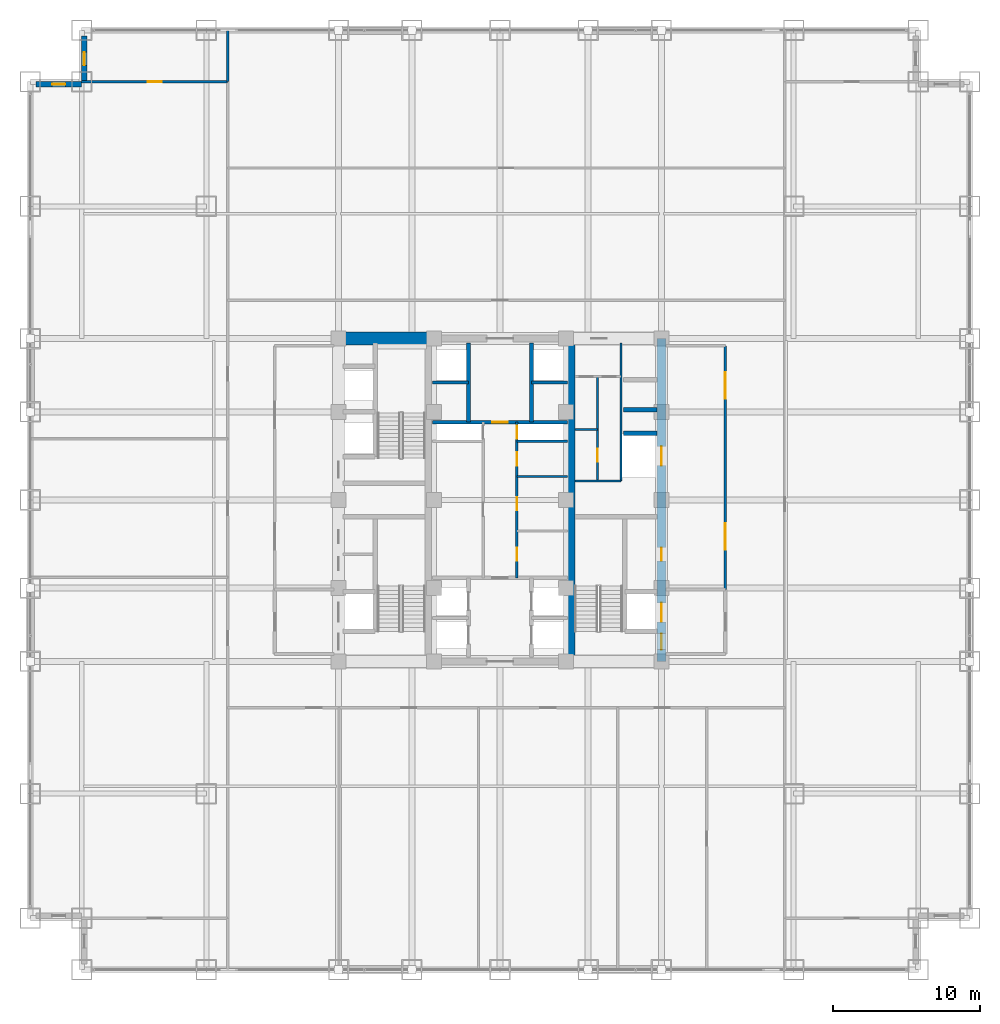
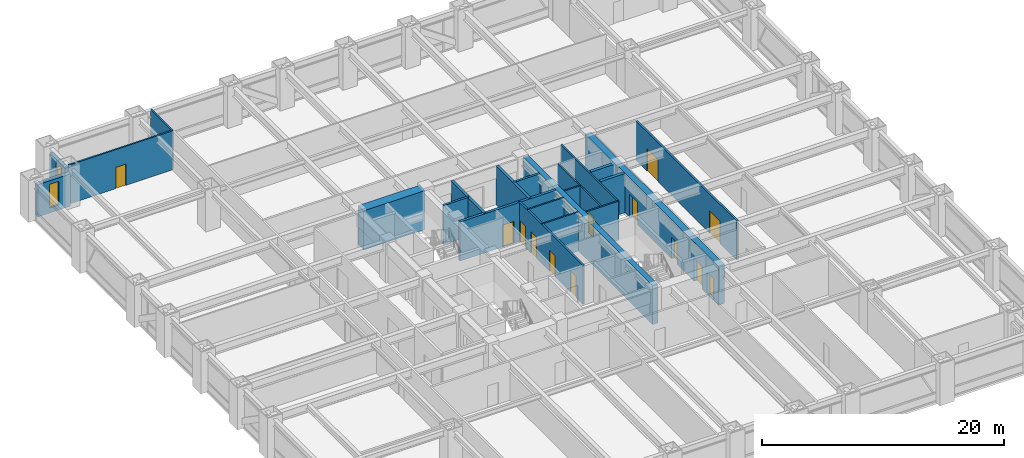
# One storey, part 25 of 27: 22 walls, 13 doors, 2 windows, 15 openings.
"""IFC4 building model written with IfcOpenShell, lengths in metres."""

from ifc_helpers import new_model, si_unit, direction, frame, frame_2d, origin, place, context, subcontext, project, spatial, rectangle, extrude, source, transform, mapped, material, layer, layer_set, type_object, element, fill, save


model = new_model("IFC4")

# Units and contexts
model_context = context("Model", 3, precision=1e-05, world=origin(), true_north=direction((0.0, 1.0)))
body_context = subcontext(model_context, "Body", "Model", "MODEL_VIEW")
ifc_project = project(units=[si_unit("LENGTHUNIT", "METRE"), si_unit("AREAUNIT", "SQUARE_METRE"), si_unit("VOLUMEUNIT", "CUBIC_METRE"), si_unit("PLANEANGLEUNIT", "RADIAN"), si_unit("MASSUNIT", "GRAM", prefix="KILO")], contexts=[model_context])

# Site, building, storey
site_placement = place(None, origin())
site = spatial("IfcSite", under=ifc_project, at=site_placement, CompositionType="ELEMENT")
building_placement = place(site_placement, origin())
building = spatial("IfcBuilding", under=site, at=building_placement, Name="Khorayat Bourse Tower", CompositionType="ELEMENT")
storey_placement = place(building_placement, frame((0.0, 0.0, 53.60009765625)))
storey = spatial("IfcBuildingStorey", under=building, at=storey_placement, Name="L11", CompositionType="ELEMENT", Elevation=53.60009765625)

# Wall, openings, doors
ifc_material_1 = material(Name="Concrete C60/75", Category="concrete")
ifc_layer_1 = layer(ifc_material_1, 0.60009765625)
ifc_layer_set_1 = layer_set([ifc_layer_1], Name="Concrete C60/75")
wall_type_1 = type_object("IfcWallType", Name="WAL-CORE-600", PredefinedType="SHEAR", material=ifc_layer_set_1)
shared_shape_1 = source(origin(), body_context, "Body", "SweptSolid", [
    extrude(rectangle(XDim=22.0, YDim=0.60009765625, at=frame_2d((11.0, 0.0))), origin(), (0.0, 0.0, 1.0), 3.93994140625),
])
wall_1_placement = place(storey_placement, frame((11.0, -11.0, 0.0), z_axis=(0.0, 0.0, 1.0), x_axis=(0.0, 1.0, 0.0)))
wall_1 = element("IfcWall", 1, at=wall_1_placement, inside=storey, type_object=wall_type_1, Name="L11 Core Shear Wall CORE-E", PredefinedType="SHEAR", context=body_context, shape_type="MappedRepresentation", body=[
    mapped(shared_shape_1, transform((0.0, 0.0, 0.0), scale=1.0)),
])
shared_shape_2 = source(origin(), body_context, "Body", "SweptSolid", [
    extrude(rectangle(XDim=1.10009765625, YDim=2.199951171875, at=frame_2d((0.550048828125, 1.10009765625))), frame((0.0, 0.31005859375, 0.0), z_axis=(0.0, -1.0, 0.0), x_axis=(1.0, 0.0, 0.0)), (0.0, 0.0, 1.0), 0.6201171875),
])
opening_1_placement = place(wall_1_placement, frame((0.800048828125, 0.0, 0.0)))
opening_1 = element("IfcOpeningElement", 2, at=opening_1_placement, cuts=wall_1, Name="Opening DI-01", PredefinedType="OPENING", context=body_context, shape_type="MappedRepresentation", body=[
    mapped(shared_shape_2, transform((0.0, 0.0, 0.0), scale=1.0)),
])
shared_shape_3 = source(origin(), body_context, "Body", "SweptSolid", [
    extrude(rectangle(XDim=0.89990234375, YDim=2.14990234375, at=frame_2d((0.449951171875, 1.074951171875))), frame((0.0, 0.31005859375, 0.0), z_axis=(0.0, -1.0, 0.0), x_axis=(1.0, 0.0, 0.0)), (0.0, 0.0, 1.0), 0.6201171875),
])
opening_2_placement = place(wall_1_placement, frame((6.85009765625, 0.0, 0.0)))
opening_2 = element("IfcOpeningElement", 3, at=opening_2_placement, cuts=wall_1, Name="Opening DI-06", PredefinedType="OPENING", context=body_context, shape_type="MappedRepresentation", body=[
    mapped(shared_shape_3, transform((0.0, 0.0, 0.0), scale=1.0)),
])
shared_shape_4 = source(origin(), body_context, "Body", "SweptSolid", [
    extrude(rectangle(XDim=1.300048828125, YDim=2.300048828125, at=frame_2d((0.64990234375, 1.14990234375))), frame((0.0, 0.31005859375, 0.0), z_axis=(0.0, -1.0, 0.0), x_axis=(1.0, 0.0, 0.0)), (0.0, 0.0, 1.0), 0.6201171875),
])
opening_3_placement = place(wall_1_placement, frame((2.699951171875, 0.0, 0.0)))
opening_3 = element("IfcOpeningElement", 4, at=opening_3_placement, cuts=wall_1, Name="Opening LD-02", PredefinedType="OPENING", context=body_context, shape_type="MappedRepresentation", body=[
    mapped(shared_shape_4, transform((0.0, 0.0, 0.0), scale=1.0)),
])
opening_4_placement = place(wall_1_placement, frame((13.35009765625, 0.0, 0.0)))
opening_4 = element("IfcOpeningElement", 5, at=opening_4_placement, cuts=wall_1, Name="Opening LD-02", PredefinedType="OPENING", context=body_context, shape_type="MappedRepresentation", body=[
    mapped(shared_shape_4, transform((0.0, 0.0, 0.0), scale=1.0)),
])
ifc_material_2 = material(Name="Fire-rated steel acoustic leaf", Category="steel")
door_type_1 = type_object("IfcDoorType", Name="DR-INT-STAIR-1100", OperationType="NOTDEFINED", PredefinedType="DOOR", material=ifc_material_2)
shared_shape_5 = source(origin(), body_context, "Body", "SweptSolid", [
    extrude(rectangle(XDim=1.10009765625, YDim=2.199951171875, at=frame_2d((0.550048828125, 1.10009765625))), frame((0.0, 0.02490234375, 0.0), z_axis=(0.0, -1.0, 0.0), x_axis=(1.0, 0.0, 0.0)), (0.0, 0.0, 1.0), 0.050048828125),
])
door_1_placement = place(opening_1_placement, origin())
door_1 = element("IfcDoor", 6, at=door_1_placement, inside=storey, type_object=door_type_1, Name="L11 Exit Stair 3 Door", OperationType="SINGLE_SWING_LEFT", OverallHeight=2.199951171875, OverallWidth=1.10009765625, PredefinedType="DOOR", context=body_context, shape_type="MappedRepresentation", body=[
    mapped(shared_shape_5, transform((0.0, 0.0, 0.0), scale=1.0)),
])
fill(opening_1, door_1)
ifc_material_3 = material(Name="Moisture-resistant laminate washroom door")
door_type_2 = type_object("IfcDoorType", Name="DR-INT-WC-900", OperationType="NOTDEFINED", PredefinedType="DOOR", material=ifc_material_3)
shared_shape_6 = source(origin(), body_context, "Body", "SweptSolid", [
    extrude(rectangle(XDim=0.89990234375, YDim=2.14990234375, at=frame_2d((0.449951171875, 1.074951171875))), frame((0.0, 0.02490234375, 0.0), z_axis=(0.0, -1.0, 0.0), x_axis=(1.0, 0.0, 0.0)), (0.0, 0.0, 1.0), 0.050048828125),
])
door_2_placement = place(opening_2_placement, origin())
door_2 = element("IfcDoor", 7, at=door_2_placement, inside=storey, type_object=door_type_2, Name="L11 Telecom Server Plant Room Door", OperationType="SINGLE_SWING_LEFT", OverallHeight=2.14990234375, OverallWidth=0.89990234375, PredefinedType="DOOR", context=body_context, shape_type="MappedRepresentation", body=[
    mapped(shared_shape_6, transform((0.0, 0.0, 0.0), scale=1.0)),
])
fill(opening_2, door_2)
ifc_material_4 = material(Name="Fire-rated stainless-steel sliding landing door", Category="steel")
door_type_3 = type_object("IfcDoorType", Name="DR-LIFT-FF-1300", OperationType="NOTDEFINED", PredefinedType="DOOR", material=ifc_material_4)
shared_shape_7 = source(origin(), body_context, "Body", "SweptSolid", [
    extrude(rectangle(XDim=1.300048828125, YDim=2.300048828125, at=frame_2d((0.64990234375, 1.14990234375))), frame((0.0, 0.02490234375, 0.0), z_axis=(0.0, -1.0, 0.0), x_axis=(1.0, 0.0, 0.0)), (0.0, 0.0, 1.0), 0.050048828125),
])
door_3_placement = place(opening_3_placement, origin())
door_3 = element("IfcDoor", 8, at=door_3_placement, inside=storey, type_object=door_type_3, Name="L11 Lift FFL-02 Sliding Landing Door", OperationType="SLIDING_TO_LEFT", OverallHeight=2.300048828125, OverallWidth=1.300048828125, PredefinedType="DOOR", context=body_context, shape_type="MappedRepresentation", body=[
    mapped(shared_shape_7, transform((0.0, 0.0, 0.0), scale=1.0)),
])
fill(opening_3, door_3)
door_4_placement = place(opening_4_placement, origin())
door_4 = element("IfcDoor", 9, at=door_4_placement, inside=storey, type_object=door_type_3, Name="L11 Lift SVL-01 Sliding Landing Door", OperationType="SLIDING_TO_LEFT", OverallHeight=2.300048828125, OverallWidth=1.300048828125, PredefinedType="DOOR", context=body_context, shape_type="MappedRepresentation", body=[
    mapped(shared_shape_7, transform((0.0, 0.0, 0.0), scale=1.0)),
])
fill(opening_4, door_4)

# Walls
ifc_material_5 = material(Name="Concrete C52/65", Category="concrete")
ifc_layer_2 = layer(ifc_material_5, 0.5)
ifc_layer_set_2 = layer_set([ifc_layer_2], Name="Concrete C52/65")
wall_type_2 = type_object("IfcWallType", Name="WAL-CORE-500", PredefinedType="SHEAR", material=ifc_layer_set_2)
shared_shape_8 = source(origin(), body_context, "Body", "SweptSolid", [
    extrude(rectangle(XDim=21.39990234375, YDim=0.5, at=frame_2d((10.699951171875, 0.0))), origin(), (0.0, 0.0, 1.0), 3.93994140625),
])
wall_2_placement = place(storey_placement, frame((4.85009765625, -10.699951171875, 0.0), z_axis=(0.0, 0.0, 1.0), x_axis=(0.0, 1.0, 0.0)))
element("IfcWall", 10, at=wall_2_placement, inside=storey, type_object=wall_type_2, Name="L11 Core Shear Wall PIER-E", PredefinedType="SHEAR", context=body_context, shape_type="MappedRepresentation", body=[
    mapped(shared_shape_8, transform((0.0, 0.0, 0.0), scale=1.0)),
])
ifc_material_6 = material(Name="Concrete C72/90", Category="concrete")
ifc_layer_3 = layer(ifc_material_6, 0.89990234375)
ifc_layer_set_3 = layer_set([ifc_layer_3], Name="Concrete C72/90")
wall_type_3 = type_object("IfcWallType", Name="WAL-CORE-900", PredefinedType="SHEAR", material=ifc_layer_set_3)
shared_shape_9 = source(origin(), body_context, "Body", "SweptSolid", [
    extrude(rectangle(XDim=5.849853515625, YDim=0.89990234375, at=frame_2d((2.9248046875, 0.0))), origin(), (0.0, 0.0, 1.0), 3.93994140625),
])
wall_3_placement = place(storey_placement, frame((-10.699951171875, 11.0, 0.0), z_axis=(0.0, 0.0, 1.0), x_axis=(1.0, 0.0, 0.0)))
element("IfcWall", 11, at=wall_3_placement, inside=storey, type_object=wall_type_3, Name="L11 Core Shear Wall PIER-WN", PredefinedType="SHEAR", context=body_context, shape_type="MappedRepresentation", body=[
    mapped(shared_shape_9, transform((0.0, 0.0, 0.0), scale=1.0)),
])

# Wall, opening, window
ifc_material_7 = material(Name="Precast concrete C45/55", Category="concrete")
ifc_layer_4 = layer(ifc_material_7, 0.3798828125)
ifc_layer_set_4 = layer_set([ifc_layer_4], Name="Precast concrete C45/55")
wall_type_4 = type_object("IfcWallType", Name="WAL-EXT-STONE-380", PredefinedType="STANDARD", material=ifc_layer_set_4)
shared_shape_10 = source(origin(), body_context, "Body", "SweptSolid", [
    extrude(rectangle(XDim=3.1201171875, YDim=0.3798828125, at=frame_2d((1.56005859375, 0.0))), origin(), (0.0, 0.0, 1.0), 3.244873046875),
])
wall_4_placement = place(storey_placement, frame((-28.31005859375, 28.5, 0.0), z_axis=(0.0, 0.0, 1.0), x_axis=(0.0, 1.0, 0.0)))
wall_4 = element("IfcWall", 12, at=wall_4_placement, inside=storey, type_object=wall_type_4, Name="L11 Re-Entrant Notch Limestone Wall NW-V", PredefinedType="STANDARD", context=body_context, shape_type="MappedRepresentation", body=[
    mapped(shared_shape_10, transform((0.0, 0.0, 0.0), scale=1.0)),
])
shared_shape_11 = source(origin(), body_context, "Body", "SweptSolid", [
    extrude(rectangle(XDim=0.89990234375, YDim=2.39990234375, at=frame_2d((0.449951171875, 1.199951171875))), frame((0.0, 0.199951171875, 0.0), z_axis=(0.0, -1.0, 0.0), x_axis=(1.0, 0.0, 0.0)), (0.0, 0.0, 1.0), 0.39990234375),
])
opening_5_placement = place(wall_4_placement, frame((1.110107421875, 0.0, 0.5)))
opening_5 = element("IfcOpeningElement", 13, at=opening_5_placement, cuts=wall_4, Name="Opening WN-03", PredefinedType="OPENING", context=body_context, shape_type="MappedRepresentation", body=[
    mapped(shared_shape_11, transform((0.0, 0.0, 0.0), scale=1.0)),
])
ifc_material_8 = material(Name="Deep-reveal solar-control double glazing", Category="glass")
window_type = type_object("IfcWindowType", Name="WIN-SLOT-900x2400", PartitioningType="SINGLE_PANEL", PredefinedType="WINDOW", material=ifc_material_8)
shared_shape_12 = source(origin(), body_context, "Body", "SweptSolid", [
    extrude(rectangle(XDim=0.89990234375, YDim=2.39990234375, at=frame_2d((0.449951171875, 1.199951171875))), frame((0.0, 0.030029296875, 0.0), z_axis=(0.0, -1.0, 0.0), x_axis=(1.0, 0.0, 0.0)), (0.0, 0.0, 1.0), 0.06005859375),
])
window_1_placement = place(opening_5_placement, origin())
window_1 = element("IfcWindow", 14, at=window_1_placement, inside=storey, type_object=window_type, Name="L11 Facade Window 1", OverallHeight=2.39990234375, OverallWidth=0.89990234375, PartitioningType="SINGLE_PANEL", PredefinedType="WINDOW", context=body_context, shape_type="MappedRepresentation", body=[
    mapped(shared_shape_12, transform((0.0, 0.0, 0.0), scale=1.0)),
])
fill(opening_5, window_1)

wall_5_placement = place(storey_placement, frame((-28.5, 28.31005859375, 0.0), z_axis=(0.0, 0.0, 1.0), x_axis=(-1.0, 0.0, 0.0)))
wall_5 = element("IfcWall", 15, at=wall_5_placement, inside=storey, type_object=wall_type_4, Name="L11 Re-Entrant Notch Limestone Wall NW-H", PredefinedType="STANDARD", context=body_context, shape_type="MappedRepresentation", body=[
    mapped(shared_shape_10, transform((0.0, 0.0, 0.0), scale=1.0)),
])
opening_6_placement = place(wall_5_placement, frame((1.110107421875, 0.0, 0.5)))
opening_6 = element("IfcOpeningElement", 16, at=opening_6_placement, cuts=wall_5, Name="Opening WN-03", PredefinedType="OPENING", context=body_context, shape_type="MappedRepresentation", body=[
    mapped(shared_shape_11, transform((0.0, 0.0, 0.0), scale=1.0)),
])
window_2_placement = place(opening_6_placement, origin())
window_2 = element("IfcWindow", 17, at=window_2_placement, inside=storey, type_object=window_type, Name="L11 Facade Window 1", OverallHeight=2.39990234375, OverallWidth=0.89990234375, PartitioningType="SINGLE_PANEL", PredefinedType="WINDOW", context=body_context, shape_type="MappedRepresentation", body=[
    mapped(shared_shape_12, transform((0.0, 0.0, 0.0), scale=1.0)),
])
fill(opening_6, window_2)

# Walls
ifc_material_9 = material(Name="Concrete C50/60", Category="concrete")
ifc_layer_5 = layer(ifc_material_9, 0.300048828125)
ifc_layer_set_5 = layer_set([ifc_layer_5], Name="Concrete C50/60")
wall_type_5 = type_object("IfcWallType", Name="WAL-SHAFT-300", PredefinedType="SHEAR", material=ifc_layer_set_5)
shared_shape_13 = source(origin(), body_context, "Body", "SweptSolid", [
    extrude(rectangle(XDim=2.300048828125, YDim=0.300048828125, at=frame_2d((1.14990234375, 0.0))), origin(), (0.0, 0.0, 1.0), 3.93994140625),
])
for number, where, z_axis, x_axis, name in (
    (18, (8.39990234375, 4.550048828125, 0.0), (0.0, 0.0, 1.0), (1.0, 0.0, 0.0), "L11 Partition WAL-L11-EPIER-SVLN"),
    (19, (8.39990234375, 6.14990234375, 0.0), (0.0, 0.0, 1.0), (1.0, 0.0, 0.0), "L11 Partition WAL-L11-EPIER-H3S"),
):
    element("IfcWall", number, at=place(storey_placement, frame(where, z_axis=z_axis, x_axis=x_axis)), inside=storey, type_object=wall_type_5, Name=name, PredefinedType="SHEAR", context=body_context, shape_type="MappedRepresentation", body=[
        mapped(shared_shape_13, transform((0.0, 0.0, 0.0), scale=1.0)),
    ])
ifc_material_10 = material(Name="Moisture-resistant masonry partition", Category="masonry")
ifc_layer_6 = layer(ifc_material_10, 0.139892578125)
ifc_layer_set_6 = layer_set([ifc_layer_6], Name="Moisture-resistant masonry partition")
wall_type_6 = type_object("IfcWallType", Name="WAL-PART-WET-140", PredefinedType="PARTITIONING", material=ifc_layer_set_6)
shared_shape_14 = source(origin(), body_context, "Body", "SweptSolid", [
    extrude(rectangle(XDim=9.39990234375, YDim=0.139892578125, at=frame_2d((4.699951171875, 0.0))), origin(), (0.0, 0.0, 1.0), 3.93994140625),
])
wall_6_placement = place(storey_placement, frame((8.25, 1.300048828125, 0.0), z_axis=(0.0, 0.0, 1.0), x_axis=(0.0, 1.0, 0.0)))
element("IfcWall", 20, at=wall_6_placement, inside=storey, type_object=wall_type_6, Name="L11 Partition WAL-L11-ECORE-E", PredefinedType="PARTITIONING", context=body_context, shape_type="MappedRepresentation", body=[
    mapped(shared_shape_14, transform((0.0, 0.0, 0.0), scale=1.0)),
])
shared_shape_15 = source(origin(), body_context, "Body", "SweptSolid", [
    extrude(rectangle(XDim=3.14990234375, YDim=0.139892578125, at=frame_2d((1.574951171875, 0.0))), origin(), (0.0, 0.0, 1.0), 3.93994140625),
])
wall_7_placement = place(storey_placement, frame((5.10009765625, 1.300048828125, 0.0), z_axis=(0.0, 0.0, 1.0), x_axis=(1.0, 0.0, 0.0)))
element("IfcWall", 21, at=wall_7_placement, inside=storey, type_object=wall_type_6, Name="L11 Partition WAL-L11-ECORE-S", PredefinedType="PARTITIONING", context=body_context, shape_type="MappedRepresentation", body=[
    mapped(shared_shape_15, transform((0.0, 0.0, 0.0), scale=1.0)),
])

# Wall, openings, doors
ifc_material_11 = material(Name="Gypsum plasterboard acoustic stud wall")
ifc_layer_7 = layer(ifc_material_11, 0.179931640625)
ifc_layer_set_7 = layer_set([ifc_layer_7], Name="Gypsum plasterboard acoustic stud wall")
wall_type_7 = type_object("IfcWallType", Name="WAL-PART-CORR-180", PredefinedType="PARTITIONING", material=ifc_layer_set_7)
shared_shape_16 = source(origin(), body_context, "Body", "SweptSolid", [
    extrude(rectangle(XDim=16.60009765625, YDim=0.179931640625, at=frame_2d((8.300048828125, 0.0))), origin(), (0.0, 0.0, 1.0), 3.93994140625),
])
wall_8_placement = place(storey_placement, frame((15.35009765625, -6.10009765625, 0.0), z_axis=(0.0, 0.0, 1.0), x_axis=(0.0, 1.0, 0.0)))
wall_8 = element("IfcWall", 22, at=wall_8_placement, inside=storey, type_object=wall_type_7, Name="L11 Partition WAL-L11-ELOB-E", PredefinedType="PARTITIONING", context=body_context, shape_type="MappedRepresentation", body=[
    mapped(shared_shape_16, transform((0.0, 0.0, 0.0), scale=1.0)),
])
shared_shape_17 = source(origin(), body_context, "Body", "SweptSolid", [
    extrude(rectangle(XDim=1.800048828125, YDim=2.25, at=frame_2d((0.89990234375, 1.125))), frame((0.0, 0.099853515625, 0.0), z_axis=(0.0, -1.0, 0.0), x_axis=(1.0, 0.0, 0.0)), (0.0, 0.0, 1.0), 0.199951171875),
])
opening_7_placement = place(wall_8_placement, frame((2.699951171875, 0.0, 0.0)))
opening_7 = element("IfcOpeningElement", 23, at=opening_7_placement, cuts=wall_8, Name="Opening DI-03", PredefinedType="OPENING", context=body_context, shape_type="MappedRepresentation", body=[
    mapped(shared_shape_17, transform((0.0, 0.0, 0.0), scale=1.0)),
])
opening_8_placement = place(wall_8_placement, frame((13.0, 0.0, 0.0)))
opening_8 = element("IfcOpeningElement", 24, at=opening_8_placement, cuts=wall_8, Name="Opening DI-03", PredefinedType="OPENING", context=body_context, shape_type="MappedRepresentation", body=[
    mapped(shared_shape_17, transform((0.0, 0.0, 0.0), scale=1.0)),
])
ifc_material_12 = material(Name="Fire-rated hardwood vision-panel double leaf", Category="wood")
door_type_4 = type_object("IfcDoorType", Name="DR-INT-CORR-1800", OperationType="NOTDEFINED", PredefinedType="DOOR", material=ifc_material_12)
shared_shape_18 = source(origin(), body_context, "Body", "SweptSolid", [
    extrude(rectangle(XDim=1.800048828125, YDim=2.25, at=frame_2d((0.89990234375, 1.125))), frame((0.0, 0.02490234375, 0.0), z_axis=(0.0, -1.0, 0.0), x_axis=(1.0, 0.0, 0.0)), (0.0, 0.0, 1.0), 0.050048828125),
])
door_5_placement = place(opening_7_placement, origin())
door_5 = element("IfcDoor", 25, at=door_5_placement, inside=storey, type_object=door_type_4, Name="L11 East Core Lobby South Door", OperationType="SINGLE_SWING_RIGHT", OverallHeight=2.25, OverallWidth=1.800048828125, PredefinedType="DOOR", context=body_context, shape_type="MappedRepresentation", body=[
    mapped(shared_shape_18, transform((0.0, 0.0, 0.0), scale=1.0)),
])
fill(opening_7, door_5)
door_6_placement = place(opening_8_placement, origin())
door_6 = element("IfcDoor", 26, at=door_6_placement, inside=storey, type_object=door_type_4, Name="L11 East Core Lobby North Door", OperationType="SINGLE_SWING_LEFT", OverallHeight=2.25, OverallWidth=1.800048828125, PredefinedType="DOOR", context=body_context, shape_type="MappedRepresentation", body=[
    mapped(shared_shape_18, transform((0.0, 0.0, 0.0), scale=1.0)),
])
fill(opening_8, door_6)

# Walls
ifc_material_13 = material(Name="Gypsum plasterboard twin-frame partition")
ifc_layer_8 = layer(ifc_material_13, 0.14990234375)
ifc_layer_set_8 = layer_set([ifc_layer_8], Name="Gypsum plasterboard twin-frame partition")
wall_type_8 = type_object("IfcWallType", Name="WAL-PART-SUITE-150", PredefinedType="PARTITIONING", material=ifc_layer_set_8)
shared_shape_19 = source(origin(), body_context, "Body", "SweptSolid", [
    extrude(rectangle(XDim=3.4501953125, YDim=0.14990234375, at=frame_2d((1.72509765625, 0.0))), origin(), (0.0, 0.0, 1.0), 3.93994140625),
])
wall_9_placement = place(storey_placement, frame((1.14990234375, 4.0, 0.0), z_axis=(0.0, 0.0, 1.0), x_axis=(1.0, 0.0, 0.0)))
element("IfcWall", 27, at=wall_9_placement, inside=storey, type_object=wall_type_8, Name="L11 Partition WAL-L11-CRSE-S", PredefinedType="PARTITIONING", context=body_context, shape_type="MappedRepresentation", body=[
    mapped(shared_shape_19, transform((0.0, 0.0, 0.0), scale=1.0)),
])
shared_shape_20 = source(origin(), body_context, "Body", "SweptSolid", [
    extrude(rectangle(XDim=5.39990234375, YDim=0.25, at=frame_2d((2.699951171875, 0.0))), origin(), (0.0, 0.0, 1.0), 3.93994140625),
])
for number, where, z_axis, x_axis, name in (
    (28, (-2.14990234375, 5.300048828125, 0.0), (0.0, 0.0, 1.0), (0.0, 1.0, 0.0), "L11 Partition WAL-L11-B2-W"),
    (29, (2.14990234375, 5.300048828125, 0.0), (0.0, 0.0, 1.0), (0.0, 1.0, 0.0), "L11 Partition WAL-L11-B2-E"),
):
    element("IfcWall", number, at=place(storey_placement, frame(where, z_axis=z_axis, x_axis=x_axis)), inside=storey, type_object=wall_type_5, Name=name, PredefinedType="SHEAR", context=body_context, shape_type="MappedRepresentation", body=[
        mapped(shared_shape_20, transform((0.0, 0.0, 0.0), scale=1.0)),
    ])
shared_shape_21 = source(origin(), body_context, "Body", "SweptSolid", [
    extrude(rectangle(XDim=2.4501953125, YDim=0.199951171875, at=frame_2d((1.22509765625, 0.0))), origin(), (0.0, 0.0, 1.0), 3.93994140625),
])
for number, where, z_axis, x_axis, name in (
    (30, (-4.60009765625, 8.0, 0.0), (0.0, 0.0, 1.0), (1.0, 0.0, 0.0), "L11 Partition WAL-L11-B2-MW"),
    (31, (2.14990234375, 8.0, 0.0), (0.0, 0.0, 1.0), (1.0, 0.0, 0.0), "L11 Partition WAL-L11-B2-ME"),
):
    element("IfcWall", number, at=place(storey_placement, frame(where, z_axis=z_axis, x_axis=x_axis)), inside=storey, type_object=wall_type_5, Name=name, PredefinedType="SHEAR", context=body_context, shape_type="MappedRepresentation", body=[
        mapped(shared_shape_21, transform((0.0, 0.0, 0.0), scale=1.0)),
    ])

# Wall, opening, door
shared_shape_22 = source(origin(), body_context, "Body", "SweptSolid", [
    extrude(rectangle(XDim=9.2001953125, YDim=0.25, at=frame_2d((4.60009765625, 0.0))), origin(), (0.0, 0.0, 1.0), 3.93994140625),
])
wall_10_placement = place(storey_placement, frame((-4.60009765625, 5.300048828125, 0.0), z_axis=(0.0, 0.0, 1.0), x_axis=(1.0, 0.0, 0.0)))
wall_10 = element("IfcWall", 32, at=wall_10_placement, inside=storey, type_object=wall_type_5, Name="L11 Partition WAL-L11-B2-S", PredefinedType="SHEAR", context=body_context, shape_type="MappedRepresentation", body=[
    mapped(shared_shape_22, transform((0.0, 0.0, 0.0), scale=1.0)),
])
shared_shape_23 = source(origin(), body_context, "Body", "SweptSolid", [
    extrude(rectangle(XDim=1.050048828125, YDim=2.199951171875, at=frame_2d((0.52490234375, 1.10009765625))), frame((0.0, 0.135009765625, 0.0), z_axis=(0.0, -1.0, 0.0), x_axis=(1.0, 0.0, 0.0)), (0.0, 0.0, 1.0), 0.27001953125),
])
opening_9_placement = place(wall_10_placement, frame((4.074951171875, 0.0, 0.0)))
opening_9 = element("IfcOpeningElement", 33, at=opening_9_placement, cuts=wall_10, Name="Opening DI-04", PredefinedType="OPENING", context=body_context, shape_type="MappedRepresentation", body=[
    mapped(shared_shape_23, transform((0.0, 0.0, 0.0), scale=1.0)),
])
ifc_material_14 = material(Name="Fire-rated oak veneer suite entrance door")
door_type_5 = type_object("IfcDoorType", Name="DR-INT-SUITE-1050", OperationType="NOTDEFINED", PredefinedType="DOOR", material=ifc_material_14)
shared_shape_24 = source(origin(), body_context, "Body", "SweptSolid", [
    extrude(rectangle(XDim=1.050048828125, YDim=2.199951171875, at=frame_2d((0.52490234375, 1.10009765625))), frame((0.0, 0.02490234375, 0.0), z_axis=(0.0, -1.0, 0.0), x_axis=(1.0, 0.0, 0.0)), (0.0, 0.0, 1.0), 0.050048828125),
])
door_7_placement = place(opening_9_placement, origin())
door_7 = element("IfcDoor", 34, at=door_7_placement, inside=storey, type_object=door_type_5, Name="L11 Core Spine North Door", OperationType="SINGLE_SWING_RIGHT", OverallHeight=2.199951171875, OverallWidth=1.050048828125, PredefinedType="DOOR", context=body_context, shape_type="MappedRepresentation", body=[
    mapped(shared_shape_24, transform((0.0, 0.0, 0.0), scale=1.0)),
])
fill(opening_9, door_7)

# Wall
shared_shape_25 = source(origin(), body_context, "Body", "SweptSolid", [
    extrude(rectangle(XDim=3.4501953125, YDim=0.139892578125, at=frame_2d((1.72509765625, 0.0))), origin(), (0.0, 0.0, 1.0), 3.93994140625),
])
wall_11_placement = place(storey_placement, frame((1.14990234375, 1.60009765625, 0.0), z_axis=(0.0, 0.0, 1.0), x_axis=(1.0, 0.0, 0.0)))
element("IfcWall", 35, at=wall_11_placement, inside=storey, type_object=wall_type_6, Name="L11 Partition WAL-L11-CME-D2", PredefinedType="PARTITIONING", context=body_context, shape_type="MappedRepresentation", body=[
    mapped(shared_shape_25, transform((0.0, 0.0, 0.0), scale=1.0)),
])

# Wall, openings, doors
shared_shape_26 = source(origin(), body_context, "Body", "SweptSolid", [
    extrude(rectangle(XDim=10.60009765625, YDim=0.179931640625, at=frame_2d((5.300048828125, 0.0))), origin(), (0.0, 0.0, 1.0), 3.93994140625),
])
wall_12_placement = place(storey_placement, frame((1.14990234375, -5.300048828125, 0.0), z_axis=(0.0, 0.0, 1.0), x_axis=(0.0, 1.0, 0.0)))
wall_12 = element("IfcWall", 36, at=wall_12_placement, inside=storey, type_object=wall_type_7, Name="L11 Partition WAL-L11-CME-L", PredefinedType="PARTITIONING", context=body_context, shape_type="MappedRepresentation", body=[
    mapped(shared_shape_26, transform((0.0, 0.0, 0.0), scale=1.0)),
])
shared_shape_27 = source(origin(), body_context, "Body", "SweptSolid", [
    extrude(rectangle(XDim=0.89990234375, YDim=2.14990234375, at=frame_2d((0.449951171875, 1.074951171875))), frame((0.0, 0.099853515625, 0.0), z_axis=(0.0, -1.0, 0.0), x_axis=(1.0, 0.0, 0.0)), (0.0, 0.0, 1.0), 0.199951171875),
])
opening_10_placement = place(wall_12_placement, frame((1.14990234375, 0.0, 0.0)))
opening_10 = element("IfcOpeningElement", 37, at=opening_10_placement, cuts=wall_12, Name="Opening DI-06", PredefinedType="OPENING", context=body_context, shape_type="MappedRepresentation", body=[
    mapped(shared_shape_27, transform((0.0, 0.0, 0.0), scale=1.0)),
])
opening_11_placement = place(wall_12_placement, frame((4.60009765625, 0.0, 0.0)))
opening_11 = element("IfcOpeningElement", 38, at=opening_11_placement, cuts=wall_12, Name="Opening DI-06", PredefinedType="OPENING", context=body_context, shape_type="MappedRepresentation", body=[
    mapped(shared_shape_27, transform((0.0, 0.0, 0.0), scale=1.0)),
])
opening_12_placement = place(wall_12_placement, frame((7.64990234375, 0.0, 0.0)))
opening_12 = element("IfcOpeningElement", 39, at=opening_12_placement, cuts=wall_12, Name="Opening DI-06", PredefinedType="OPENING", context=body_context, shape_type="MappedRepresentation", body=[
    mapped(shared_shape_27, transform((0.0, 0.0, 0.0), scale=1.0)),
])
opening_13_placement = place(wall_12_placement, frame((9.47509765625, 0.0, 0.0)))
opening_13 = element("IfcOpeningElement", 40, at=opening_13_placement, cuts=wall_12, Name="Opening DI-06", PredefinedType="OPENING", context=body_context, shape_type="MappedRepresentation", body=[
    mapped(shared_shape_27, transform((0.0, 0.0, 0.0), scale=1.0)),
])
door_8_placement = place(opening_10_placement, origin())
door_8 = element("IfcDoor", 41, at=door_8_placement, inside=storey, type_object=door_type_2, Name="L11 Female Core Washroom Door", OperationType="SINGLE_SWING_RIGHT", OverallHeight=2.14990234375, OverallWidth=0.89990234375, PredefinedType="DOOR", context=body_context, shape_type="MappedRepresentation", body=[
    mapped(shared_shape_6, transform((0.0, 0.0, 0.0), scale=1.0)),
])
fill(opening_10, door_8)
door_9_placement = place(opening_11_placement, origin())
door_9 = element("IfcDoor", 42, at=door_9_placement, inside=storey, type_object=door_type_2, Name="L11 Cleaners Store Door", OperationType="SINGLE_SWING_LEFT", OverallHeight=2.14990234375, OverallWidth=0.89990234375, PredefinedType="DOOR", context=body_context, shape_type="MappedRepresentation", body=[
    mapped(shared_shape_6, transform((0.0, 0.0, 0.0), scale=1.0)),
])
fill(opening_11, door_9)
door_10_placement = place(opening_12_placement, origin())
door_10 = element("IfcDoor", 43, at=door_10_placement, inside=storey, type_object=door_type_2, Name="L11 Meter and BMS Plant Room Door", OperationType="SINGLE_SWING_RIGHT", OverallHeight=2.14990234375, OverallWidth=0.89990234375, PredefinedType="DOOR", context=body_context, shape_type="MappedRepresentation", body=[
    mapped(shared_shape_6, transform((0.0, 0.0, 0.0), scale=1.0)),
])
fill(opening_12, door_10)
door_11_placement = place(opening_13_placement, origin())
door_11 = element("IfcDoor", 44, at=door_11_placement, inside=storey, type_object=door_type_2, Name="L11 East Core Riser Door", OperationType="SINGLE_SWING_RIGHT", OverallHeight=2.14990234375, OverallWidth=0.89990234375, PredefinedType="DOOR", context=body_context, shape_type="MappedRepresentation", body=[
    mapped(shared_shape_6, transform((0.0, 0.0, 0.0), scale=1.0)),
])
fill(opening_13, door_11)

# Wall
shared_shape_28 = source(origin(), body_context, "Body", "SweptSolid", [
    extrude(rectangle(XDim=3.5, YDim=0.14990234375, at=frame_2d((1.75, 0.0))), origin(), (0.0, 0.0, 1.0), 3.93994140625),
])
wall_13_placement = place(storey_placement, frame((-18.550048828125, 28.5, 0.0), z_axis=(0.0, 0.0, 1.0), x_axis=(0.0, 1.0, 0.0)))
element("IfcWall", 45, at=wall_13_placement, inside=storey, type_object=wall_type_8, Name="L11 Partition WAL-L11-NCW-END", PredefinedType="PARTITIONING", context=body_context, shape_type="MappedRepresentation", body=[
    mapped(shared_shape_28, transform((0.0, 0.0, 0.0), scale=1.0)),
])

# Wall, opening, door
shared_shape_29 = source(origin(), body_context, "Body", "SweptSolid", [
    extrude(rectangle(XDim=9.949951171875, YDim=0.14990234375, at=frame_2d((4.97509765625, 0.0))), origin(), (0.0, 0.0, 1.0), 3.93994140625),
])
wall_14_placement = place(storey_placement, frame((-28.5, 28.5, 0.0), z_axis=(0.0, 0.0, 1.0), x_axis=(1.0, 0.0, 0.0)))
wall_14 = element("IfcWall", 46, at=wall_14_placement, inside=storey, type_object=wall_type_8, Name="L11 Partition WAL-L11-CNW", PredefinedType="PARTITIONING", context=body_context, shape_type="MappedRepresentation", body=[
    mapped(shared_shape_29, transform((0.0, 0.0, 0.0), scale=1.0)),
])
shared_shape_30 = source(origin(), body_context, "Body", "SweptSolid", [
    extrude(rectangle(XDim=0.949951171875, YDim=2.14990234375, at=frame_2d((0.47509765625, 1.074951171875))), frame((0.0, 0.0849609375, 0.0), z_axis=(0.0, -1.0, 0.0), x_axis=(1.0, 0.0, 0.0)), (0.0, 0.0, 1.0), 0.169921875),
])
opening_14_placement = place(wall_14_placement, frame((4.5, 0.0, 0.0)))
opening_14 = element("IfcOpeningElement", 47, at=opening_14_placement, cuts=wall_14, Name="Opening DI-05", PredefinedType="OPENING", context=body_context, shape_type="MappedRepresentation", body=[
    mapped(shared_shape_30, transform((0.0, 0.0, 0.0), scale=1.0)),
])
ifc_material_15 = material(Name="Acoustic oak veneer office door")
door_type_6 = type_object("IfcDoorType", Name="DR-INT-OFFICE-950", OperationType="NOTDEFINED", PredefinedType="DOOR", material=ifc_material_15)
shared_shape_31 = source(origin(), body_context, "Body", "SweptSolid", [
    extrude(rectangle(XDim=0.949951171875, YDim=2.14990234375, at=frame_2d((0.47509765625, 1.074951171875))), frame((0.0, 0.02490234375, 0.0), z_axis=(0.0, -1.0, 0.0), x_axis=(1.0, 0.0, 0.0)), (0.0, 0.0, 1.0), 0.050048828125),
])
door_12_placement = place(opening_14_placement, origin())
door_12 = element("IfcDoor", 48, at=door_12_placement, inside=storey, type_object=door_type_6, Name="L11 North-West Corner Meeting Room Door", OperationType="SINGLE_SWING_LEFT", OverallHeight=2.14990234375, OverallWidth=0.949951171875, PredefinedType="DOOR", context=body_context, shape_type="MappedRepresentation", body=[
    mapped(shared_shape_31, transform((0.0, 0.0, 0.0), scale=1.0)),
])
fill(opening_14, door_12)

shared_shape_32 = source(origin(), body_context, "Body", "SweptSolid", [
    extrude(rectangle(XDim=7.099853515625, YDim=0.139892578125, at=frame_2d((3.5498046875, 0.0))), origin(), (0.0, 0.0, 1.0), 3.93994140625),
])
wall_15_placement = place(storey_placement, frame((6.64990234375, 1.300048828125, 0.0), z_axis=(0.0, 0.0, 1.0), x_axis=(0.0, 1.0, 0.0)))
wall_15 = element("IfcWall", 49, at=wall_15_placement, inside=storey, type_object=wall_type_6, Name="L11 Partition WAL-L11-ECW-MID", PredefinedType="PARTITIONING", context=body_context, shape_type="MappedRepresentation", body=[
    mapped(shared_shape_32, transform((0.0, 0.0, 0.0), scale=1.0)),
])
shared_shape_33 = source(origin(), body_context, "Body", "SweptSolid", [
    extrude(rectangle(XDim=0.89990234375, YDim=2.14990234375, at=frame_2d((0.449951171875, 1.074951171875))), frame((0.0, 0.079833984375, 0.0), z_axis=(0.0, -1.0, 0.0), x_axis=(1.0, 0.0, 0.0)), (0.0, 0.0, 1.0), 0.159912109375),
])
opening_15_placement = place(wall_15_placement, frame((1.300048828125, 0.0, 0.0)))
opening_15 = element("IfcOpeningElement", 50, at=opening_15_placement, cuts=wall_15, Name="Opening DI-06", PredefinedType="OPENING", context=body_context, shape_type="MappedRepresentation", body=[
    mapped(shared_shape_33, transform((0.0, 0.0, 0.0), scale=1.0)),
])
door_13_placement = place(opening_15_placement, origin())
door_13 = element("IfcDoor", 51, at=door_13_placement, inside=storey, type_object=door_type_2, Name="L11 Janitor Store Door", OperationType="SINGLE_SWING_LEFT", OverallHeight=2.14990234375, OverallWidth=0.89990234375, PredefinedType="DOOR", context=body_context, shape_type="MappedRepresentation", body=[
    mapped(shared_shape_6, transform((0.0, 0.0, 0.0), scale=1.0)),
])
fill(opening_15, door_13)

# Wall
shared_shape_34 = source(origin(), body_context, "Body", "SweptSolid", [
    extrude(rectangle(XDim=1.5498046875, YDim=0.139892578125, at=frame_2d((0.77490234375, 0.0))), origin(), (0.0, 0.0, 1.0), 3.93994140625),
])
wall_16_placement = place(storey_placement, frame((5.10009765625, 4.800048828125, 0.0), z_axis=(0.0, 0.0, 1.0), x_axis=(1.0, 0.0, 0.0)))
element("IfcWall", 52, at=wall_16_placement, inside=storey, type_object=wall_type_6, Name="L11 Partition WAL-L11-ECW-BOT", PredefinedType="PARTITIONING", context=body_context, shape_type="MappedRepresentation", body=[
    mapped(shared_shape_34, transform((0.0, 0.0, 0.0), scale=1.0)),
])

save(model, "model.ifc")
